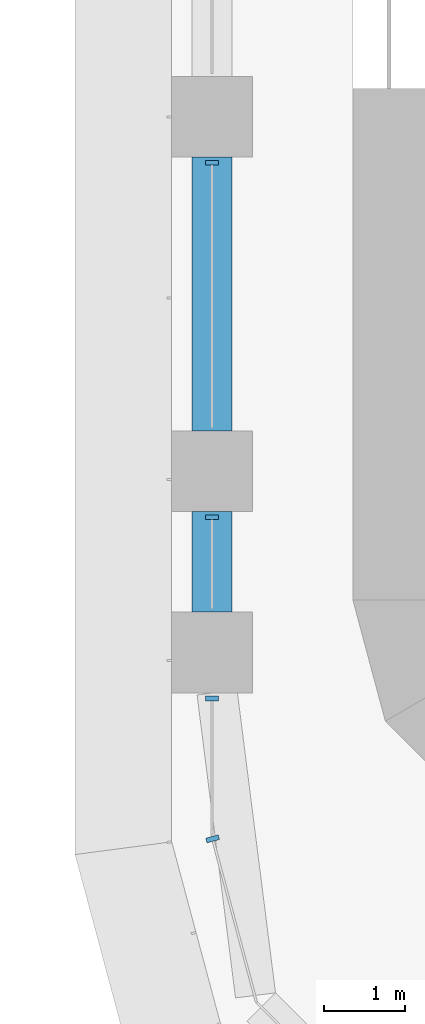
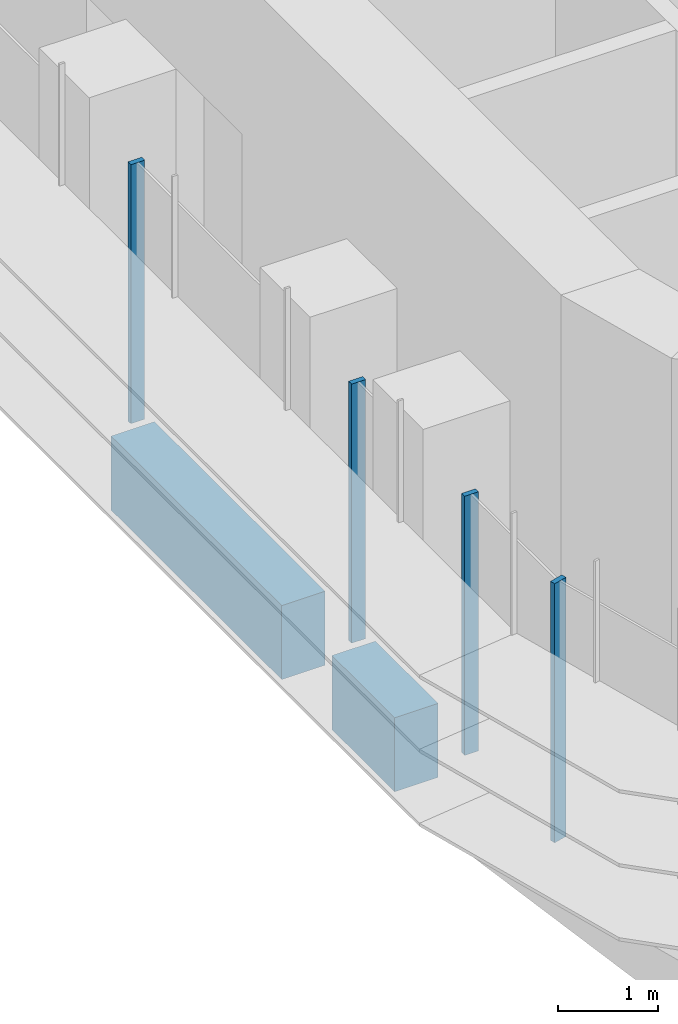
# One storey, part 2 of 23: 4 members, 2 beams, 2 elements without a shape of their own.
"""IFC4 building model written with IfcOpenShell, lengths in metres."""

from ifc_helpers import new_model, si_unit, direction, frame, origin, origin_2d, place, context, subcontext, project, spatial, polyline, rectangle, outline, extrude, source, transform, mapped, material, material_profile, profile_set, type_object, element, aggregate, save


model = new_model("IFC4")

# Units and contexts
model_context = context("Model", 3, precision=1e-05, world=origin(), true_north=direction((0.0, 1.0)))
body_context = subcontext(model_context, "Body", "Model", "MODEL_VIEW")
ifc_project = project(units=[si_unit("LENGTHUNIT", "METRE"), si_unit("AREAUNIT", "SQUARE_METRE"), si_unit("VOLUMEUNIT", "CUBIC_METRE"), si_unit("PLANEANGLEUNIT", "RADIAN"), si_unit("MASSUNIT", "GRAM", prefix="KILO")], contexts=[model_context])

# Site, building, storey
site_placement = place(None, origin())
site = spatial("IfcSite", under=ifc_project, at=site_placement, CompositionType="ELEMENT")
building_placement = place(site_placement, origin())
building = spatial("IfcBuilding", under=site, at=building_placement, Name="Zarbagh Exchange Tower", CompositionType="ELEMENT")
storey_placement = place(building_placement, frame((0.0, 0.0, 77.39990234375)))
storey = spatial("IfcBuildingStorey", under=building, at=storey_placement, Name="L17", CompositionType="ELEMENT", Elevation=77.39990234375)

# Beams
ifc_material_1 = material(Name="Concrete C60/75", Category="concrete")
ifc_material_profile = material_profile(ifc_material_1, rectangle(XDim=0.5, YDim=0.89990234375, at=origin_2d()), Name="RC spandrel beam 500 x 900 C60/75")
ifc_profile_set = profile_set([ifc_material_profile], Name="Concrete C60/75")
beam_type = type_object("IfcBeamType", Name="RC spandrel beam 500 x 900 C60/75", PredefinedType="SPANDREL", material=ifc_profile_set)
beam_1_placement = place(storey_placement, frame((-6.25, -26.39990234375, -0.599853515625), z_axis=(0.0, 1.0, 0.0), x_axis=(-1.0, 0.0, 0.0)))
element("IfcBeam", 1, at=beam_1_placement, inside=storey, type_object=beam_type, Name="RC spandrel beam", PredefinedType="SPANDREL", context=body_context, shape_type="SweptSolid", body=[
    extrude(rectangle(XDim=0.5, YDim=0.89990234375, at=origin_2d()), origin(), (0.0, 0.0, 1.0), 1.25),
])
beam_2_placement = place(storey_placement, frame((-6.25, -24.14990234375, -0.599853515625), z_axis=(0.0, 1.0, 0.0), x_axis=(-1.0, 0.0, 0.0)))
element("IfcBeam", 2, at=beam_2_placement, inside=storey, type_object=beam_type, Name="RC spandrel beam", PredefinedType="SPANDREL", context=body_context, shape_type="SweptSolid", body=[
    extrude(rectangle(XDim=0.5, YDim=0.89990234375, at=origin_2d()), origin(), (0.0, 0.0, 1.0), 3.39990234375),
])

# Curtain wall, members
ifc_material_2 = material(Name="Anodised aluminium frame and glazing", Category="aluminium")
curtain_wall_type = type_object("IfcCurtainWallType", Name="CWA Ribbon glazing, lower zones", PredefinedType="NOTDEFINED", material=ifc_material_2)
curtain_wall_1_placement = place(storey_placement, origin())
curtain_wall_1 = element("IfcCurtainWall", 3, at=curtain_wall_1_placement, inside=storey, type_object=curtain_wall_type, Name="CWA44 curtain wall", PredefinedType="NOTDEFINED")
ifc_material_3 = material(Name="Anodised aluminium frame", Category="aluminium")
member_type = type_object("IfcMemberType", Name="MUA Mullion, anodised aluminium frame", PredefinedType="MULLION", material=ifc_material_3)
shared_shape = source(origin(), body_context, "Body", "SweptSolid", [
    extrude(outline(polyline([(0.0, -0.080078125), (0.06005859375, -0.080078125), (0.06005859375, 0.080078125), (0.0, 0.080078125), (0.0, -0.080078125)])), origin(), (0.0, 0.0, 1.0), 3.14990234375),
])
placement = place(storey_placement, origin())
member_1 = element("IfcMember", 4, at=placement, type_object=member_type, Name="CWA44 mullion 3.1", PredefinedType="MULLION", context=body_context, shape_type="MappedRepresentation", body=[
    mapped(shared_shape, transform((-6.25, -20.7900390625, 0.0), x_axis=(0.0, -1.0, 0.0), y_axis=(1.0, 0.0, 0.0), z_axis=(0.0, 0.0, 1.0))),
])
member_2 = element("IfcMember", 5, at=placement, type_object=member_type, Name="CWA44 mullion 4.1", PredefinedType="MULLION", context=body_context, shape_type="MappedRepresentation", body=[
    mapped(shared_shape, transform((-6.25, -25.18994140625, 0.0), x_axis=(0.0, -1.0, 0.0), y_axis=(1.0, 0.0, 0.0), z_axis=(0.0, 0.0, 1.0))),
])
member_3 = element("IfcMember", 6, at=placement, type_object=member_type, Name="CWA44 mullion 5.1", PredefinedType="MULLION", context=body_context, shape_type="MappedRepresentation", body=[
    mapped(shared_shape, transform((-6.25, -27.43994140625, 0.0), x_axis=(0.0, -1.0, 0.0), y_axis=(1.0, 0.0, 0.0), z_axis=(0.0, 0.0, 1.0))),
])
aggregate(curtain_wall_1, [member_1, member_2, member_3])

# Curtain wall, member
curtain_wall_2_placement = place(storey_placement, origin())
curtain_wall_2 = element("IfcCurtainWall", 7, at=curtain_wall_2_placement, inside=storey, type_object=curtain_wall_type, Name="CWA45 curtain wall", PredefinedType="NOTDEFINED")
member_4 = element("IfcMember", 8, at=placement, type_object=member_type, Name="CWA45 mullion 1.1", PredefinedType="MULLION", context=body_context, shape_type="MappedRepresentation", body=[
    mapped(shared_shape, transform((-6.25, -29.18408203125, 0.0), x_axis=(0.258824779902, -0.965924289636, 0.0), y_axis=(0.965924289636, 0.258824779902, 0.0), z_axis=(0.0, 0.0, 1.0))),
])
aggregate(curtain_wall_2, [member_4])

save(model, "model.ifc")
